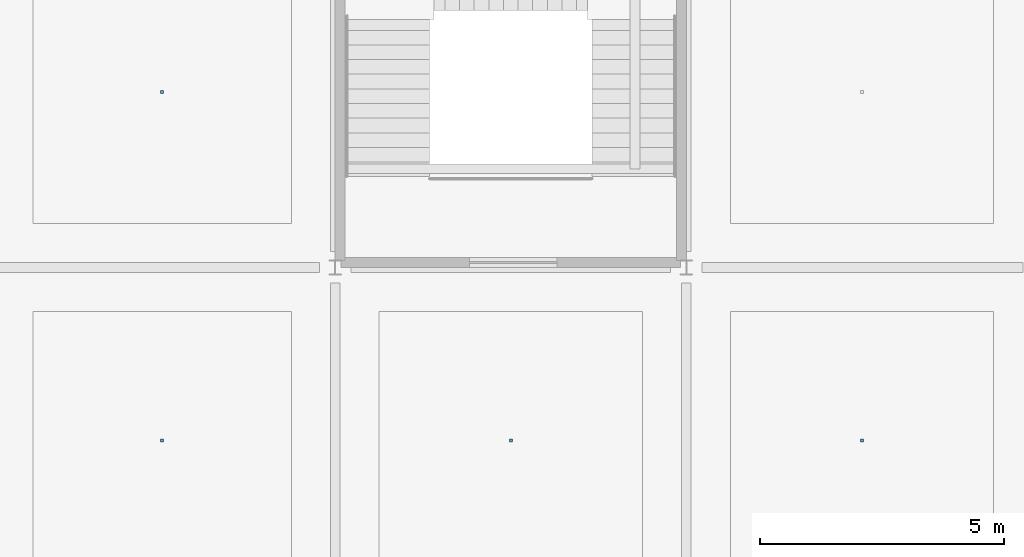
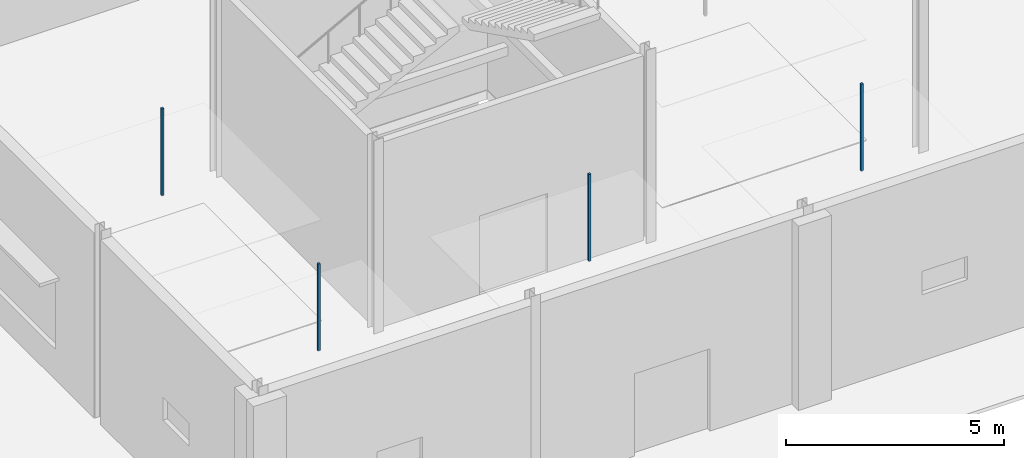
# One storey, part 69 of 90: 4 discrete accessories.
"""IFC4 building model written with IfcOpenShell, lengths in metres."""

from ifc_helpers import new_model, si_unit, direction, frame, origin, origin_2d, place, context, subcontext, project, spatial, rectangle, extrude, material, type_object, element, save


model = new_model("IFC4")

# Units and contexts
model_context = context("Model", 3, precision=1e-05, world=origin(), true_north=direction((0.0, 1.0)))
body_context = subcontext(model_context, "Body", "Model", "MODEL_VIEW")
ifc_project = project(units=[si_unit("LENGTHUNIT", "METRE"), si_unit("AREAUNIT", "SQUARE_METRE"), si_unit("VOLUMEUNIT", "CUBIC_METRE"), si_unit("PLANEANGLEUNIT", "RADIAN"), si_unit("MASSUNIT", "GRAM", prefix="KILO")], contexts=[model_context])

# Site, building, storey
site_placement = place(None, origin())
site = spatial("IfcSite", under=ifc_project, at=site_placement, CompositionType="ELEMENT")
building_placement = place(site_placement, origin())
building = spatial("IfcBuilding", under=site, at=building_placement, Name="Kangsadwip Square Police Headquarters", CompositionType="ELEMENT")
storey_placement = place(building_placement, origin())
storey = spatial("IfcBuildingStorey", under=building, at=storey_placement, Name="L00", CompositionType="ELEMENT", Elevation=0.0)

# Discrete accessories
ifc_material = material(Name="Structural steel IS 2062 E350 (Grade 350, 350 MPa)", Category="steel")
discrete_accessory_type = type_object("IfcDiscreteAccessoryType", Name="VeilOutriggerBracket", PredefinedType="BRACKET", material=ifc_material)
for number, where, z_axis, x_axis, name in (
    (1, (3.64990234375, 3.64990234375, 2.81005859375), (0.0, 0.0, 1.0), (1.0, 0.0, 0.0), "Ceiling Suspension Hanger L00-024"),
    (2, (10.800048828125, 3.64990234375, 2.81005859375), (0.0, 0.0, 1.0), (1.0, 0.0, 0.0), "Ceiling Suspension Hanger L00-025"),
    (3, (18.0, 3.64990234375, 2.81005859375), (0.0, 0.0, 1.0), (1.0, 0.0, 0.0), "Ceiling Suspension Hanger L00-026"),
    (4, (3.64990234375, 10.800048828125, 2.81005859375), (0.0, 0.0, 1.0), (1.0, 0.0, 0.0), "Ceiling Suspension Hanger L00-027"),
):
    element("IfcDiscreteAccessory", number, at=place(storey_placement, frame(where, z_axis=z_axis, x_axis=x_axis)), inside=storey, type_object=discrete_accessory_type, Name=name, PredefinedType="BRACKET", context=body_context, shape_type="SweptSolid", body=[
        extrude(rectangle(XDim=0.06005859375, YDim=0.06005859375, at=origin_2d()), origin(), (0.0, 0.0, 1.0), 2.429931640625),
    ])

save(model, "model.ifc")
